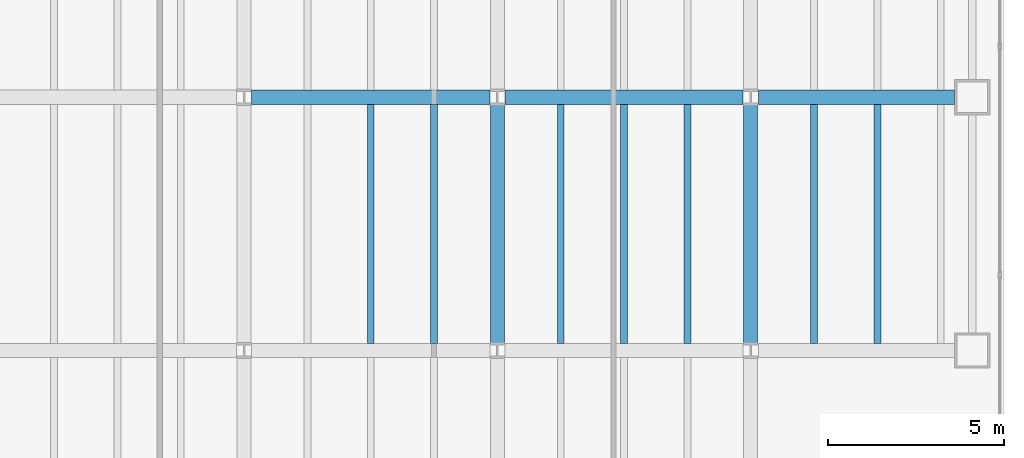
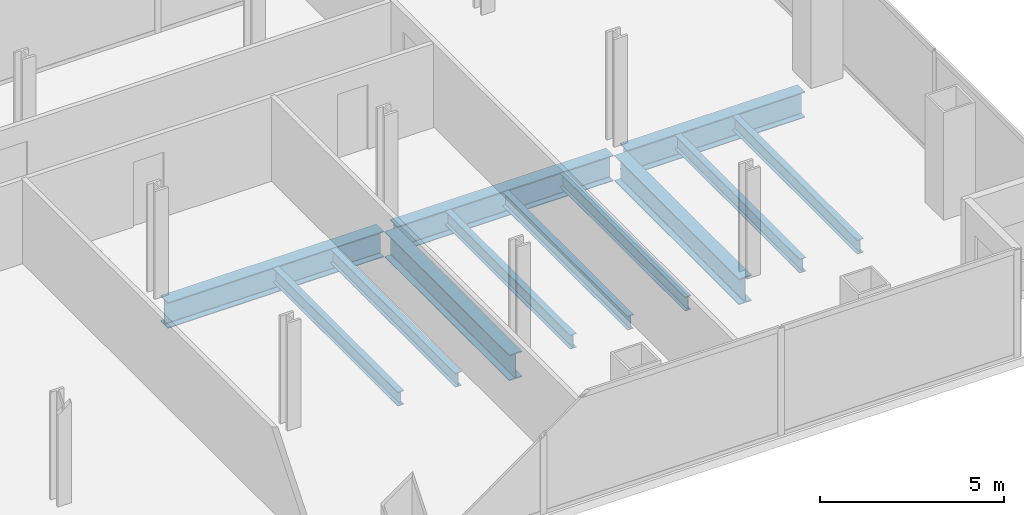
# One storey, part 9 of 23: 12 beams.
"""IFC4 building model written with IfcOpenShell, lengths in metres."""

from ifc_helpers import new_model, si_unit, direction, frame, origin, origin_2d, place, context, subcontext, project, spatial, i_section, extrude, material, material_profile, profile_set, type_object, element, save


model = new_model("IFC4")

# Units and contexts
model_context = context("Model", 3, precision=1e-05, world=origin(), true_north=direction((0.0, 1.0)))
body_context = subcontext(model_context, "Body", "Model", "MODEL_VIEW")
ifc_project = project(units=[si_unit("LENGTHUNIT", "METRE"), si_unit("AREAUNIT", "SQUARE_METRE"), si_unit("VOLUMEUNIT", "CUBIC_METRE"), si_unit("PLANEANGLEUNIT", "RADIAN"), si_unit("MASSUNIT", "GRAM", prefix="KILO")], contexts=[model_context])

# Site, building, storey
site_placement = place(None, origin())
site = spatial("IfcSite", under=ifc_project, at=site_placement, CompositionType="ELEMENT")
building_placement = place(site_placement, origin())
building = spatial("IfcBuilding", under=site, at=building_placement, Name="Cobrela Telecom Tower", CompositionType="ELEMENT")
storey_placement = place(building_placement, frame((0.0, 0.0, 73.5)))
storey = spatial("IfcBuildingStorey", under=building, at=storey_placement, Name="L18", CompositionType="ELEMENT", Elevation=73.5)

# Beams
ifc_material = material(Name="Steel ASTM A992 Grade 50", Category="steel")
ifc_material_profile_1 = material_profile(ifc_material, i_section(OverallWidth=0.39892578125, OverallDepth=0.85595703125, WebThickness=0.018310546875, FlangeThickness=0.029296875, FilletRadius=0.02001953125, at=origin_2d()), Name="W33X201")
ifc_profile_set_1 = profile_set([ifc_material_profile_1], Name="Steel ASTM A992 Grade 50")
beam_type_1 = type_object("IfcBeamType", Name="BM-GIRD-03", PredefinedType="USERDEFINED", material=ifc_profile_set_1)
for number, where, z_axis, x_axis, name in (
    (1, (29.01611328125, 14.39990234375, -0.7080078125), (1.0, 0.0, 0.0), (0.0, 1.0, 0.0), "L18 Primary Girder X15"),
    (2, (36.216064453125, 14.39990234375, -0.7080078125), (1.0, 0.0, 0.0), (0.0, 1.0, 0.0), "L18 Primary Girder X16"),
):
    element("IfcBeam", number, at=place(storey_placement, frame(where, z_axis=z_axis, x_axis=x_axis)), inside=storey, type_object=beam_type_1, Name=name, ObjectType="GIRDER", PredefinedType="USERDEFINED", context=body_context, shape_type="SweptSolid", body=[
        extrude(i_section(OverallWidth=0.39892578125, OverallDepth=0.85595703125, WebThickness=0.018310546875, FlangeThickness=0.029296875, FilletRadius=0.02001953125, at=origin_2d()), origin(), (0.0, 0.0, 1.0), 6.767822265625),
    ])
beam_placement = place(storey_placement, frame((43.416015625, 14.39990234375, -0.7080078125), z_axis=(1.0, 0.0, 0.0), x_axis=(0.0, 1.0, 0.0)))
element("IfcBeam", 3, at=beam_placement, inside=storey, type_object=beam_type_1, Name="L18 Primary Girder X17", ObjectType="GIRDER", PredefinedType="USERDEFINED", context=body_context, shape_type="SweptSolid", body=[
    extrude(i_section(OverallWidth=0.39892578125, OverallDepth=0.85595703125, WebThickness=0.018310546875, FlangeThickness=0.029296875, FilletRadius=0.02001953125, at=origin_2d()), origin(), (0.0, 0.0, 1.0), 5.5791015625),
])
for number, where, z_axis, x_axis, name in (
    (4, (36.0, 7.416015625, -0.7080078125), (0.0, 1.0, 0.0), (-1.0, 0.0, 0.0), "L18 Primary Girder Y51"),
    (5, (43.199951171875, 7.416015625, -0.7080078125), (0.0, 1.0, 0.0), (-1.0, 0.0, 0.0), "L18 Primary Girder Y54"),
):
    element("IfcBeam", number, at=place(storey_placement, frame(where, z_axis=z_axis, x_axis=x_axis)), inside=storey, type_object=beam_type_1, Name=name, ObjectType="GIRDER", PredefinedType="USERDEFINED", context=body_context, shape_type="SweptSolid", body=[
        extrude(i_section(OverallWidth=0.39892578125, OverallDepth=0.85595703125, WebThickness=0.018310546875, FlangeThickness=0.029296875, FilletRadius=0.02001953125, at=origin_2d()), origin(), (0.0, 0.0, 1.0), 6.76806640625),
    ])
ifc_material_profile_2 = material_profile(ifc_material, i_section(OverallWidth=0.193115234375, OverallDepth=0.467041015625, WebThickness=0.011474609375, FlangeThickness=0.01904296875, FilletRadius=0.012939453125, at=origin_2d()), Name="W18X65")
ifc_profile_set_2 = profile_set([ifc_material_profile_2], Name="Steel ASTM A992 Grade 50")
beam_type_2 = type_object("IfcBeamType", Name="BM-JOIST-03", PredefinedType="JOIST", material=ifc_profile_set_2)
for number, where, z_axis, x_axis, name in (
    (6, (32.39990234375, 7.404541015625, -0.513427734375), (0.0, 1.0, 0.0), (-1.0, 0.0, 0.0), "L18 Secondary Composite Floor Beam J45"),
    (7, (34.199951171875, 7.404541015625, -0.513427734375), (0.0, 1.0, 0.0), (-1.0, 0.0, 0.0), "L18 Secondary Composite Floor Beam J48"),
    (8, (37.800048828125, 7.404541015625, -0.513427734375), (0.0, 1.0, 0.0), (-1.0, 0.0, 0.0), "L18 Secondary Composite Floor Beam J51"),
    (9, (39.60009765625, 7.404541015625, -0.513427734375), (0.0, 1.0, 0.0), (-1.0, 0.0, 0.0), "L18 Secondary Composite Floor Beam J54"),
    (10, (41.39990234375, 7.404541015625, -0.513427734375), (0.0, 1.0, 0.0), (-1.0, 0.0, 0.0), "L18 Secondary Composite Floor Beam J57"),
    (11, (45.0, 7.404541015625, -0.513427734375), (0.0, 1.0, 0.0), (-1.0, 0.0, 0.0), "L18 Secondary Composite Floor Beam J59"),
    (12, (46.800048828125, 7.404541015625, -0.513427734375), (0.0, 1.0, 0.0), (-1.0, 0.0, 0.0), "L18 Secondary Composite Floor Beam J61"),
):
    element("IfcBeam", number, at=place(storey_placement, frame(where, z_axis=z_axis, x_axis=x_axis)), inside=storey, type_object=beam_type_2, Name=name, PredefinedType="JOIST", context=body_context, shape_type="SweptSolid", body=[
        extrude(i_section(OverallWidth=0.193115234375, OverallDepth=0.467041015625, WebThickness=0.011474609375, FlangeThickness=0.01904296875, FilletRadius=0.012939453125, at=origin_2d()), origin(), (0.0, 0.0, 1.0), 6.791015625),
    ])

save(model, "model.ifc")
